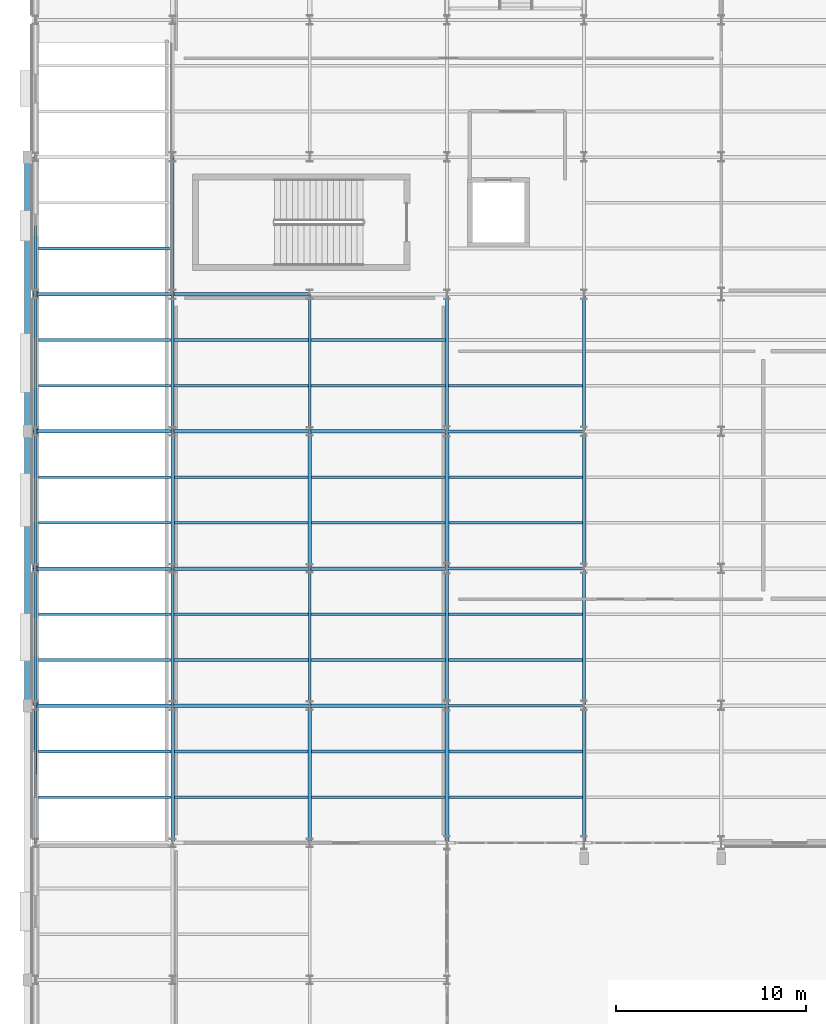
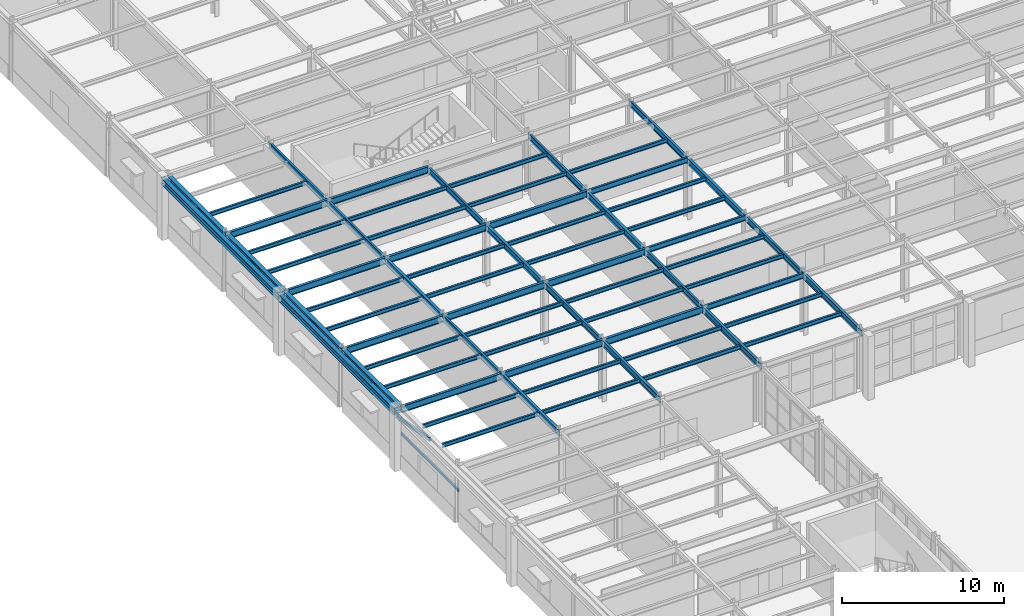
# One storey, part 35 of 83: 70 beams, 8 members.
"""IFC4 building model written with IfcOpenShell, lengths in metres."""

import ifcopenshell
import ifcopenshell.guid

model = None  # the IFC model being written
_history = None  # IfcOwnerHistory: only IFC2X3 demands one
_inside = {}  # id of a spatial element -> (the spatial element, [elements in it])
_under = {}  # id of a project, library or spatial element -> (it, [spatial elements below it])
_declared = {}  # id of a project -> (the project, [libraries it declares])
_typed = {}  # id of a type object -> (the type object, [elements of that type])
_made_of = {}  # id of a material, layer set ... -> (it, [elements and type objects made of it])


def new_model(schema):
    """Start an empty IFC model of exactly this schema.

    Asked for "IFC4X3", IfcOpenShell would pick the latest addendum, in which some entities
    have other attributes; the version numbers below select the first issue.
    IFC2X3 requires an IfcOwnerHistory on every rooted entity: one is made here for all.
    """
    global model, _history
    if schema == "IFC4X3":
        model = ifcopenshell.file(schema_version=(4, 3, 0, 0))
    else:
        model = ifcopenshell.file(schema=schema)
    _inside.clear()
    _under.clear()
    _declared.clear()
    _typed.clear()
    _made_of.clear()
    _history = None
    if model.schema == "IFC2X3":
        org = make("IfcOrganization", Name="unknown")
        user = make(
            "IfcPersonAndOrganization",
            ThePerson=make("IfcPerson", FamilyName="unknown"),
            TheOrganization=org,
        )
        app = make(
            "IfcApplication",
            ApplicationDeveloper=org,
            Version="unknown",
            ApplicationFullName="unknown",
            ApplicationIdentifier="unknown",
        )
        _history = make(
            "IfcOwnerHistory",
            OwningUser=user,
            OwningApplication=app,
            ChangeAction="ADDED",
            CreationDate=0,
        )
    return model


def make(cls, **values):
    """One entity of the class cls with the attributes given. An attribute that is None is left unset."""
    return model.create_entity(
        cls, **{name: value for name, value in values.items() if value is not None}
    )


def rooted(cls, **values):
    """An entity with a GlobalId (a new one), such as an element, a storey or a relation."""
    return make(cls, GlobalId=ifcopenshell.guid.new(), OwnerHistory=_history, **values)


def si_unit(unit_type, name, prefix=None):
    """IfcSIUnit, for example si_unit("LENGTHUNIT", "METRE", prefix="MILLI")."""
    return make("IfcSIUnit", UnitType=unit_type, Prefix=prefix, Name=name)


def assignment(units):
    """IfcUnitAssignment: the units of a project."""
    return None if units is None else make("IfcUnitAssignment", Units=units)


def point(xyz):
    """IfcCartesianPoint."""
    return None if xyz is None else make("IfcCartesianPoint", Coordinates=xyz)


def direction(xyz):
    """IfcDirection."""
    return None if xyz is None else make("IfcDirection", DirectionRatios=xyz)


def frame(location, z_axis=None, x_axis=None):
    """IfcAxis2Placement3D, a coordinate frame: its origin and axes. An axis left out is left unset."""
    return make(
        "IfcAxis2Placement3D",
        Location=point(location),
        Axis=direction(z_axis),
        RefDirection=direction(x_axis),
    )


def frame_2d(location, x_axis=None):
    """IfcAxis2Placement2D, a coordinate frame in the plane: its origin and x axis."""
    return make(
        "IfcAxis2Placement2D", Location=point(location), RefDirection=direction(x_axis)
    )


def origin():
    """The frame at (0, 0, 0) with its axes left unset."""
    return frame((0.0, 0.0, 0.0))


def origin_2d():
    """The frame at (0, 0) in the plane with its x axis left unset."""
    return frame_2d((0.0, 0.0))


def place(relative_to, where):
    """IfcLocalPlacement: puts the frame where relative to a parent placement (None: the world)."""
    return make(
        "IfcLocalPlacement", PlacementRelTo=relative_to, RelativePlacement=where
    )


def context(
    kind, dimensions, precision=None, world=None, true_north=None, identifier=None
):
    """IfcGeometricRepresentationContext, for example the 3D "Model" context."""
    return make(
        "IfcGeometricRepresentationContext",
        ContextIdentifier=identifier,
        ContextType=kind,
        CoordinateSpaceDimension=dimensions,
        Precision=precision,
        WorldCoordinateSystem=world,
        TrueNorth=true_north,
    )


def subcontext(parent, identifier, kind, view, scale=None):
    """IfcGeometricRepresentationSubContext, for example "Body" below "Model"."""
    return make(
        "IfcGeometricRepresentationSubContext",
        ContextIdentifier=identifier,
        ContextType=kind,
        ParentContext=parent,
        TargetScale=scale,
        TargetView=view,
    )


def project(units=None, contexts=None):
    """IfcProject with its units and contexts."""
    return rooted(
        "IfcProject",
        Name="project",
        RepresentationContexts=contexts,
        UnitsInContext=assignment(units),
    )


def spatial(cls, under=None, at=None, **own):
    """A site, building, storey or space (cls), placed at a placement, below another one or the project."""
    s = rooted(cls, ObjectPlacement=at, **own)
    if under is not None:
        _under.setdefault(under.id(), (under, []))[1].append(s)
    return s


def profile(cls, at=None, kind="AREA", **sizes):
    """A parametric profile (cls). Its sizes go by their IFC names, for example OverallWidth=200.0."""
    return make(cls, ProfileType=kind, Position=at, **sizes)


def hollow_rectangle(**sizes):
    """IfcRectangleHollowProfileDef."""
    return profile("IfcRectangleHollowProfileDef", **sizes)


def i_section(**sizes):
    """IfcIShapeProfileDef."""
    return profile("IfcIShapeProfileDef", **sizes)


def extrude(swept, where, along, depth):
    """IfcExtrudedAreaSolid: the profile swept, set in the frame where, extruded along a direction by depth."""
    return make(
        "IfcExtrudedAreaSolid",
        SweptArea=swept,
        Position=where,
        ExtrudedDirection=direction(along),
        Depth=depth,
    )


def shape(context_of_items, identifier, shape_type, items):
    """IfcShapeRepresentation: the items that make up one representation, for example the "Body"."""
    return make(
        "IfcShapeRepresentation",
        ContextOfItems=context_of_items,
        RepresentationIdentifier=identifier,
        RepresentationType=shape_type,
        Items=items,
    )


def material(Name=None, Category=None):
    """IfcMaterial."""
    return make("IfcMaterial", Name=Name, Category=Category)


def material_profile(
    of_material, cross_section, Name=None, Category=None, Priority=None
):
    """IfcMaterialProfile: a cross section and its material."""
    return make(
        "IfcMaterialProfile",
        Name=Name,
        Material=of_material,
        Profile=cross_section,
        Priority=Priority,
        Category=Category,
    )


def profile_set(profiles, Name=None, composite=None):
    """IfcMaterialProfileSet."""
    return make(
        "IfcMaterialProfileSet",
        Name=Name,
        MaterialProfiles=profiles,
        CompositeProfile=composite,
    )


def made_of(thing, what):
    """Note that an element or type object is made of a material, layer set ...; save() writes the relation."""
    if what is not None:
        _made_of.setdefault(what.id(), (what, []))[1].append(thing)
    return thing


def type_object(cls, material=None, **own):
    """A type object (cls), such as IfcWallType, which elements share."""
    return made_of(rooted(cls, **own), material)


def element(
    cls,
    number,
    at=None,
    inside=None,
    cuts=None,
    type_object=None,
    material=None,
    context=None,
    identifier="Body",
    shape_type=None,
    held_by="IfcProductDefinitionShape",
    body=None,
    shapes=None,
    **own,
):
    """One element of the class cls, such as IfcWall. Its Tag is "e" and its number.

    at: its placement. inside: the storey or other place that contains it. cuts: it is an
    opening in that element (IfcRelVoidsElement). A single representation is given by context,
    identifier, shape_type and body (its items); several are given by shapes. held_by: the class
    of the entity that holds the representations. save() writes the other relations.
    """
    e = rooted(cls, Tag="e%d" % number, ObjectPlacement=at, **own)
    if body is not None:
        shapes = [shape(context, identifier, shape_type, body)]
    if shapes is not None:
        e.Representation = make(held_by, Representations=shapes)
    if inside is not None:
        _inside.setdefault(inside.id(), (inside, []))[1].append(e)
    if cuts is not None:
        rooted(
            "IfcRelVoidsElement", RelatingBuildingElement=cuts, RelatedOpeningElement=e
        )
    if type_object is not None:
        _typed.setdefault(type_object.id(), (type_object, []))[1].append(e)
    return made_of(e, material)


def aggregate(whole, parts):
    """IfcRelAggregates: a whole, such as a stair, and the parts it consists of."""
    return rooted("IfcRelAggregates", RelatingObject=whole, RelatedObjects=parts)


def save(model, path):
    """Write the relations noted so far, then the file.

    IfcRelAggregates (storeys below a building ...), IfcRelContainedInSpatialStructure (elements
    in a storey), IfcRelDefinesByType, IfcRelAssociatesMaterial and IfcRelDeclares: one each for
    every whole, place, type object, material and project.
    """
    for whole, parts in _under.values():
        aggregate(whole, parts)
    for where, things in _inside.values():
        rooted(
            "IfcRelContainedInSpatialStructure",
            RelatedElements=things,
            RelatingStructure=where,
        )
    for kind, things in _typed.values():
        rooted("IfcRelDefinesByType", RelatedObjects=things, RelatingType=kind)
    for what, things in _made_of.values():
        rooted("IfcRelAssociatesMaterial", RelatedObjects=things, RelatingMaterial=what)
    for by, libraries in _declared.values():
        rooted("IfcRelDeclares", RelatingContext=by, RelatedDefinitions=libraries)
    model.write(path)


model = new_model("IFC4")

# Units and contexts
model_context = context("Model", 3, precision=1e-05, world=origin(), true_north=direction((0.0, 1.0)))
body_context = subcontext(model_context, "Body", "Model", "MODEL_VIEW")
ifc_project = project(units=[si_unit("LENGTHUNIT", "METRE"), si_unit("AREAUNIT", "SQUARE_METRE"), si_unit("VOLUMEUNIT", "CUBIC_METRE"), si_unit("PLANEANGLEUNIT", "RADIAN"), si_unit("MASSUNIT", "GRAM", prefix="KILO")], contexts=[model_context])

# Site, building, storey
site_placement = place(None, origin())
site = spatial("IfcSite", under=ifc_project, at=site_placement, CompositionType="ELEMENT")
building_placement = place(site_placement, origin())
building = spatial("IfcBuilding", under=site, at=building_placement, Name="Solvadek Multi-Sports Hall", CompositionType="ELEMENT")
storey_placement = place(building_placement, origin())
storey = spatial("IfcBuildingStorey", under=building, at=storey_placement, Name="L00", CompositionType="ELEMENT", Elevation=0.0)

# Members
ifc_material_1 = material(Name="Steel E350 (350 MPa)", Category="steel")
ifc_material_profile_1 = material_profile(ifc_material_1, hollow_rectangle(XDim=0.14990234375, YDim=0.25, WallThickness=0.010009765625, at=origin_2d()), Name="RHS 250x150x10")
ifc_profile_set_1 = profile_set([ifc_material_profile_1], Name="Steel E350 (350 MPa)")
member_type = type_object("IfcMemberType", Name="STR-ARC-RHS250", PredefinedType="USERDEFINED", material=ifc_profile_set_1)
member_1_placement = place(storey_placement, frame((0.0, 52.800048828125, 4.219970703125), z_axis=(0.0, 0.9831211258, -0.182955874479), x_axis=(-1.0, 0.0, 0.0)))
element("IfcMember", 1, at=member_1_placement, inside=storey, type_object=member_type, Name="L00 West Facade Pointed Ottoman Arch 5R", ObjectType="ARCH_SEGMENT", PredefinedType="USERDEFINED", context=body_context, shape_type="SweptSolid", body=[
    extrude(hollow_rectangle(XDim=0.14990234375, YDim=0.25, WallThickness=0.010009765625, at=origin_2d()), origin(), (0.0, 0.0, 1.0), 3.66162109375),
])
for number, where, z_axis, x_axis, name in (
    (2, (0.0, 56.39990234375, 3.550048828125), (0.0, 0.983123357379, 0.182943882588), (-1.0, 0.0, 0.0), "L00 West Facade Pointed Ottoman Arch 6L"),
    (3, (0.0, 60.0, 4.219970703125), (0.0, 0.983123357379, -0.182943882588), (-1.0, 0.0, 0.0), "L00 West Facade Pointed Ottoman Arch 6R"),
):
    element("IfcMember", number, at=place(storey_placement, frame(where, z_axis=z_axis, x_axis=x_axis)), inside=storey, type_object=member_type, Name=name, ObjectType="ARCH_SEGMENT", PredefinedType="USERDEFINED", context=body_context, shape_type="SweptSolid", body=[
        extrude(hollow_rectangle(XDim=0.14990234375, YDim=0.25, WallThickness=0.010009765625, at=origin_2d()), origin(), (0.0, 0.0, 1.0), 3.661865234375),
    ])
member_2_placement = place(storey_placement, frame((0.0, 63.60009765625, 3.550048828125), z_axis=(0.0, 0.9831211258, 0.182955874479), x_axis=(-1.0, 0.0, 0.0)))
element("IfcMember", 4, at=member_2_placement, inside=storey, type_object=member_type, Name="L00 West Facade Pointed Ottoman Arch 7L", ObjectType="ARCH_SEGMENT", PredefinedType="USERDEFINED", context=body_context, shape_type="SweptSolid", body=[
    extrude(hollow_rectangle(XDim=0.14990234375, YDim=0.25, WallThickness=0.010009765625, at=origin_2d()), origin(), (0.0, 0.0, 1.0), 3.66162109375),
])
member_3_placement = place(storey_placement, frame((0.0, 67.199951171875, 4.219970703125), z_axis=(0.0, 0.983123357379, -0.182943882588), x_axis=(-1.0, 0.0, 0.0)))
element("IfcMember", 5, at=member_3_placement, inside=storey, type_object=member_type, Name="L00 West Facade Pointed Ottoman Arch 7R", ObjectType="ARCH_SEGMENT", PredefinedType="USERDEFINED", context=body_context, shape_type="SweptSolid", body=[
    extrude(hollow_rectangle(XDim=0.14990234375, YDim=0.25, WallThickness=0.010009765625, at=origin_2d()), origin(), (0.0, 0.0, 1.0), 3.661865234375),
])
member_4_placement = place(storey_placement, frame((0.0, 70.800048828125, 3.550048828125), z_axis=(0.0, 0.9831211258, 0.182955874479), x_axis=(-1.0, 0.0, 0.0)))
element("IfcMember", 6, at=member_4_placement, inside=storey, type_object=member_type, Name="L00 West Facade Pointed Ottoman Arch 8L", ObjectType="ARCH_SEGMENT", PredefinedType="USERDEFINED", context=body_context, shape_type="SweptSolid", body=[
    extrude(hollow_rectangle(XDim=0.14990234375, YDim=0.25, WallThickness=0.010009765625, at=origin_2d()), origin(), (0.0, 0.0, 1.0), 3.66162109375),
])
for number, where, z_axis, x_axis, name in (
    (7, (0.0, 74.39990234375, 4.219970703125), (0.0, 0.983123357379, -0.182943882588), (-1.0, 0.0, 0.0), "L00 West Facade Pointed Ottoman Arch 8R"),
    (8, (0.0, 78.0, 3.550048828125), (0.0, 0.983123357379, 0.182943882588), (-1.0, 0.0, 0.0), "L00 West Facade Pointed Ottoman Arch 9L"),
):
    element("IfcMember", number, at=place(storey_placement, frame(where, z_axis=z_axis, x_axis=x_axis)), inside=storey, type_object=member_type, Name=name, ObjectType="ARCH_SEGMENT", PredefinedType="USERDEFINED", context=body_context, shape_type="SweptSolid", body=[
        extrude(hollow_rectangle(XDim=0.14990234375, YDim=0.25, WallThickness=0.010009765625, at=origin_2d()), origin(), (0.0, 0.0, 1.0), 3.661865234375),
    ])

# Beams
ifc_material_profile_2 = material_profile(ifc_material_1, i_section(OverallWidth=0.139892578125, OverallDepth=0.39990234375, WebThickness=0.0087890625, FlangeThickness=0.01611328125, at=origin_2d()), Name="ISMB 400")
ifc_profile_set_2 = profile_set([ifc_material_profile_2], Name="Steel E350 (350 MPa)")
beam_type_1 = type_object("IfcBeamType", Name="STR-BM-ISMB400", PredefinedType="BEAM", material=ifc_profile_set_2)
for number, where, z_axis, x_axis, name in (
    (9, (21.60009765625, 56.39990234375, 4.3798828125), (1.0, 0.0, 0.0), (0.0, 1.0, 0.0), "L00 Girder B-10 #626"),
    (10, (21.60009765625, 63.60009765625, 4.3798828125), (1.0, 0.0, 0.0), (0.0, 1.0, 0.0), "L00 Girder B-10 #640"),
    (11, (21.60009765625, 70.800048828125, 4.3798828125), (1.0, 0.0, 0.0), (0.0, 1.0, 0.0), "L00 Girder B-10 #655"),
):
    element("IfcBeam", number, at=place(storey_placement, frame(where, z_axis=z_axis, x_axis=x_axis)), inside=storey, type_object=beam_type_1, Name=name, PredefinedType="BEAM", context=body_context, shape_type="SweptSolid", body=[
        extrude(i_section(OverallWidth=0.139892578125, OverallDepth=0.39990234375, WebThickness=0.0087890625, FlangeThickness=0.01611328125, at=origin_2d()), origin(), (0.0, 0.0, 1.0), 7.199951171875),
    ])
ifc_material_profile_3 = material_profile(ifc_material_1, i_section(OverallWidth=0.14990234375, OverallDepth=0.449951171875, WebThickness=0.009521484375, FlangeThickness=0.017333984375, at=origin_2d()), Name="ISMB 450")
ifc_profile_set_3 = profile_set([ifc_material_profile_3], Name="Steel E350 (350 MPa)")
beam_type_2 = type_object("IfcBeamType", Name="STR-BM-ISMB450", PredefinedType="BEAM", material=ifc_profile_set_3)
beam_1_placement = place(storey_placement, frame((7.199951171875, 56.39990234375, 4.35498046875), z_axis=(0.0, 1.0, 0.0), x_axis=(-1.0, 0.0, 0.0)))
element("IfcBeam", 12, at=beam_1_placement, inside=storey, type_object=beam_type_2, Name="L00 Girder B-09 #745", PredefinedType="BEAM", context=body_context, shape_type="SweptSolid", body=[
    extrude(i_section(OverallWidth=0.14990234375, OverallDepth=0.449951171875, WebThickness=0.009521484375, FlangeThickness=0.017333984375, at=origin_2d()), origin(), (0.0, 0.0, 1.0), 7.2001953125),
])
for number, where, z_axis, x_axis, name in (
    (13, (7.199951171875, 70.800048828125, 4.35498046875), (0.0, 1.0, 0.0), (-1.0, 0.0, 0.0), "L00 Girder B-09 #747"),
    (14, (7.199951171875, 78.0, 4.35498046875), (0.0, 1.0, 0.0), (-1.0, 0.0, 0.0), "L00 Girder B-09 #748"),
):
    element("IfcBeam", number, at=place(storey_placement, frame(where, z_axis=z_axis, x_axis=x_axis)), inside=storey, type_object=beam_type_2, Name=name, PredefinedType="BEAM", context=body_context, shape_type="SweptSolid", body=[
        extrude(i_section(OverallWidth=0.14990234375, OverallDepth=0.449951171875, WebThickness=0.009521484375, FlangeThickness=0.017333984375, at=origin_2d()), origin(), (0.0, 0.0, 1.0), 7.199951171875),
    ])
beam_2_placement = place(storey_placement, frame((14.39990234375, 56.39990234375, 4.35498046875), z_axis=(0.0, 1.0, 0.0), x_axis=(-1.0, 0.0, 0.0)))
element("IfcBeam", 15, at=beam_2_placement, inside=storey, type_object=beam_type_2, Name="L00 Girder B-09 #757", PredefinedType="BEAM", context=body_context, shape_type="SweptSolid", body=[
    extrude(i_section(OverallWidth=0.14990234375, OverallDepth=0.449951171875, WebThickness=0.009521484375, FlangeThickness=0.017333984375, at=origin_2d()), origin(), (0.0, 0.0, 1.0), 7.2001953125),
])
beam_3_placement = place(storey_placement, frame((14.39990234375, 70.800048828125, 4.35498046875), z_axis=(0.0, 1.0, 0.0), x_axis=(-1.0, 0.0, 0.0)))
element("IfcBeam", 16, at=beam_3_placement, inside=storey, type_object=beam_type_2, Name="L00 Girder B-09 #759", PredefinedType="BEAM", context=body_context, shape_type="SweptSolid", body=[
    extrude(i_section(OverallWidth=0.14990234375, OverallDepth=0.449951171875, WebThickness=0.009521484375, FlangeThickness=0.017333984375, at=origin_2d()), origin(), (0.0, 0.0, 1.0), 7.199951171875),
])
beam_4_placement = place(storey_placement, frame((21.60009765625, 56.39990234375, 4.35498046875), z_axis=(0.0, 1.0, 0.0), x_axis=(-1.0, 0.0, 0.0)))
element("IfcBeam", 17, at=beam_4_placement, inside=storey, type_object=beam_type_2, Name="L00 Girder B-09 #768", PredefinedType="BEAM", context=body_context, shape_type="SweptSolid", body=[
    extrude(i_section(OverallWidth=0.14990234375, OverallDepth=0.449951171875, WebThickness=0.009521484375, FlangeThickness=0.017333984375, at=origin_2d()), origin(), (0.0, 0.0, 1.0), 7.2001953125),
])
beam_5_placement = place(storey_placement, frame((21.60009765625, 70.800048828125, 4.35498046875), z_axis=(0.0, 1.0, 0.0), x_axis=(-1.0, 0.0, 0.0)))
element("IfcBeam", 18, at=beam_5_placement, inside=storey, type_object=beam_type_2, Name="L00 Girder B-09 #770", PredefinedType="BEAM", context=body_context, shape_type="SweptSolid", body=[
    extrude(i_section(OverallWidth=0.14990234375, OverallDepth=0.449951171875, WebThickness=0.009521484375, FlangeThickness=0.017333984375, at=origin_2d()), origin(), (0.0, 0.0, 1.0), 7.199951171875),
])
beam_6_placement = place(storey_placement, frame((28.800048828125, 56.39990234375, 4.35498046875), z_axis=(0.0, 1.0, 0.0), x_axis=(-1.0, 0.0, 0.0)))
element("IfcBeam", 19, at=beam_6_placement, inside=storey, type_object=beam_type_2, Name="L00 Girder B-09 #776", PredefinedType="BEAM", context=body_context, shape_type="SweptSolid", body=[
    extrude(i_section(OverallWidth=0.14990234375, OverallDepth=0.449951171875, WebThickness=0.009521484375, FlangeThickness=0.017333984375, at=origin_2d()), origin(), (0.0, 0.0, 1.0), 7.2001953125),
])
beam_7_placement = place(storey_placement, frame((28.800048828125, 70.800048828125, 4.35498046875), z_axis=(0.0, 1.0, 0.0), x_axis=(-1.0, 0.0, 0.0)))
element("IfcBeam", 20, at=beam_7_placement, inside=storey, type_object=beam_type_2, Name="L00 Girder B-09 #778", PredefinedType="BEAM", context=body_context, shape_type="SweptSolid", body=[
    extrude(i_section(OverallWidth=0.14990234375, OverallDepth=0.449951171875, WebThickness=0.009521484375, FlangeThickness=0.017333984375, at=origin_2d()), origin(), (0.0, 0.0, 1.0), 7.199951171875),
])
ifc_material_profile_4 = material_profile(ifc_material_1, i_section(OverallWidth=0.179931640625, OverallDepth=0.5, WebThickness=0.01025390625, FlangeThickness=0.01708984375, at=origin_2d()), Name="ISMB 500")
ifc_profile_set_4 = profile_set([ifc_material_profile_4], Name="Steel E350 (350 MPa)")
beam_type_3 = type_object("IfcBeamType", Name="STR-BM-ISMB500", PredefinedType="BEAM", material=ifc_profile_set_4)
for number, where, z_axis, x_axis, name in (
    (21, (0.0, 56.39990234375, 4.330078125), (1.0, 0.0, 0.0), (0.0, 1.0, 0.0), "L00 Girder B-07 #623"),
    (22, (7.199951171875, 56.39990234375, 4.330078125), (1.0, 0.0, 0.0), (0.0, 1.0, 0.0), "L00 Girder B-07 #624"),
):
    element("IfcBeam", number, at=place(storey_placement, frame(where, z_axis=z_axis, x_axis=x_axis)), inside=storey, type_object=beam_type_3, Name=name, PredefinedType="BEAM", context=body_context, shape_type="SweptSolid", body=[
        extrude(i_section(OverallWidth=0.179931640625, OverallDepth=0.5, WebThickness=0.01025390625, FlangeThickness=0.01708984375, at=origin_2d()), origin(), (0.0, 0.0, 1.0), 7.199951171875),
    ])
beam_8_placement = place(storey_placement, frame((14.39990234375, 56.39990234375, 4.330078125), z_axis=(1.0, 0.0, 0.0), x_axis=(0.0, 1.0, 0.0)))
element("IfcBeam", 23, at=beam_8_placement, inside=storey, type_object=beam_type_3, Name="L00 Girder B-07 #625", PredefinedType="BEAM", context=body_context, shape_type="SweptSolid", body=[
    extrude(i_section(OverallWidth=0.179931640625, OverallDepth=0.5, WebThickness=0.01025390625, FlangeThickness=0.01708984375, at=origin_2d()), origin(), (0.0, 0.0, 1.0), 7.2001953125),
])
for number, where, z_axis, x_axis, name in (
    (24, (0.0, 63.60009765625, 4.330078125), (1.0, 0.0, 0.0), (0.0, 1.0, 0.0), "L00 Girder B-07 #637"),
    (25, (7.199951171875, 63.60009765625, 4.330078125), (1.0, 0.0, 0.0), (0.0, 1.0, 0.0), "L00 Girder B-07 #638"),
):
    element("IfcBeam", number, at=place(storey_placement, frame(where, z_axis=z_axis, x_axis=x_axis)), inside=storey, type_object=beam_type_3, Name=name, PredefinedType="BEAM", context=body_context, shape_type="SweptSolid", body=[
        extrude(i_section(OverallWidth=0.179931640625, OverallDepth=0.5, WebThickness=0.01025390625, FlangeThickness=0.01708984375, at=origin_2d()), origin(), (0.0, 0.0, 1.0), 7.199951171875),
    ])
beam_9_placement = place(storey_placement, frame((14.39990234375, 63.60009765625, 4.330078125), z_axis=(1.0, 0.0, 0.0), x_axis=(0.0, 1.0, 0.0)))
element("IfcBeam", 26, at=beam_9_placement, inside=storey, type_object=beam_type_3, Name="L00 Girder B-07 #639", PredefinedType="BEAM", context=body_context, shape_type="SweptSolid", body=[
    extrude(i_section(OverallWidth=0.179931640625, OverallDepth=0.5, WebThickness=0.01025390625, FlangeThickness=0.01708984375, at=origin_2d()), origin(), (0.0, 0.0, 1.0), 7.2001953125),
])
for number, where, z_axis, x_axis, name in (
    (27, (0.0, 70.800048828125, 4.330078125), (1.0, 0.0, 0.0), (0.0, 1.0, 0.0), "L00 Girder B-07 #652"),
    (28, (7.199951171875, 70.800048828125, 4.330078125), (1.0, 0.0, 0.0), (0.0, 1.0, 0.0), "L00 Girder B-07 #653"),
):
    element("IfcBeam", number, at=place(storey_placement, frame(where, z_axis=z_axis, x_axis=x_axis)), inside=storey, type_object=beam_type_3, Name=name, PredefinedType="BEAM", context=body_context, shape_type="SweptSolid", body=[
        extrude(i_section(OverallWidth=0.179931640625, OverallDepth=0.5, WebThickness=0.01025390625, FlangeThickness=0.01708984375, at=origin_2d()), origin(), (0.0, 0.0, 1.0), 7.199951171875),
    ])
beam_10_placement = place(storey_placement, frame((14.39990234375, 70.800048828125, 4.330078125), z_axis=(1.0, 0.0, 0.0), x_axis=(0.0, 1.0, 0.0)))
element("IfcBeam", 29, at=beam_10_placement, inside=storey, type_object=beam_type_3, Name="L00 Girder B-07 #654", PredefinedType="BEAM", context=body_context, shape_type="SweptSolid", body=[
    extrude(i_section(OverallWidth=0.179931640625, OverallDepth=0.5, WebThickness=0.01025390625, FlangeThickness=0.01708984375, at=origin_2d()), origin(), (0.0, 0.0, 1.0), 7.2001953125),
])
for number, where, z_axis, x_axis, name in (
    (30, (0.0, 78.0, 4.330078125), (1.0, 0.0, 0.0), (0.0, 1.0, 0.0), "L00 Girder B-07 #667"),
    (31, (7.199951171875, 78.0, 4.330078125), (1.0, 0.0, 0.0), (0.0, 1.0, 0.0), "L00 Girder B-07 #668"),
):
    element("IfcBeam", number, at=place(storey_placement, frame(where, z_axis=z_axis, x_axis=x_axis)), inside=storey, type_object=beam_type_3, Name=name, PredefinedType="BEAM", context=body_context, shape_type="SweptSolid", body=[
        extrude(i_section(OverallWidth=0.179931640625, OverallDepth=0.5, WebThickness=0.01025390625, FlangeThickness=0.01708984375, at=origin_2d()), origin(), (0.0, 0.0, 1.0), 7.199951171875),
    ])
ifc_material_profile_5 = material_profile(ifc_material_1, i_section(OverallWidth=0.18994140625, OverallDepth=0.449951171875, WebThickness=0.009521484375, FlangeThickness=0.0146484375, at=origin_2d()), Name="NPB 450")
ifc_profile_set_5 = profile_set([ifc_material_profile_5], Name="Steel E350 (350 MPa)")
beam_type_4 = type_object("IfcBeamType", Name="STR-BM-NPB450", PredefinedType="BEAM", material=ifc_profile_set_5)
for number, where, z_axis, x_axis, name in (
    (32, (7.199951171875, 49.199951171875, 4.35498046875), (0.0, 1.0, 0.0), (-1.0, 0.0, 0.0), "L00 Girder B-08 #744"),
    (33, (7.199951171875, 63.60009765625, 4.35498046875), (0.0, 1.0, 0.0), (-1.0, 0.0, 0.0), "L00 Girder B-08 #746"),
    (34, (14.39990234375, 49.199951171875, 4.35498046875), (0.0, 1.0, 0.0), (-1.0, 0.0, 0.0), "L00 Girder B-08 #756"),
    (35, (14.39990234375, 63.60009765625, 4.35498046875), (0.0, 1.0, 0.0), (-1.0, 0.0, 0.0), "L00 Girder B-08 #758"),
    (36, (21.60009765625, 49.199951171875, 4.35498046875), (0.0, 1.0, 0.0), (-1.0, 0.0, 0.0), "L00 Girder B-08 #767"),
    (37, (21.60009765625, 63.60009765625, 4.35498046875), (0.0, 1.0, 0.0), (-1.0, 0.0, 0.0), "L00 Girder B-08 #769"),
    (38, (28.800048828125, 49.199951171875, 4.35498046875), (0.0, 1.0, 0.0), (-1.0, 0.0, 0.0), "L00 Girder B-08 #775"),
    (39, (28.800048828125, 63.60009765625, 4.35498046875), (0.0, 1.0, 0.0), (-1.0, 0.0, 0.0), "L00 Girder B-08 #777"),
):
    element("IfcBeam", number, at=place(storey_placement, frame(where, z_axis=z_axis, x_axis=x_axis)), inside=storey, type_object=beam_type_4, Name=name, PredefinedType="BEAM", context=body_context, shape_type="SweptSolid", body=[
        extrude(i_section(OverallWidth=0.18994140625, OverallDepth=0.449951171875, WebThickness=0.009521484375, FlangeThickness=0.0146484375, at=origin_2d()), origin(), (0.0, 0.0, 1.0), 7.199951171875),
    ])
ifc_material_profile_6 = material_profile(ifc_material_1, i_section(OverallWidth=0.139892578125, OverallDepth=0.300048828125, WebThickness=0.0078125, FlangeThickness=0.01318359375, at=origin_2d()), Name="ISMB 300")
ifc_profile_set_6 = profile_set([ifc_material_profile_6], Name="Steel E350 (350 MPa)")
beam_type_5 = type_object("IfcBeamType", Name="STR-JST-ISMB300", PredefinedType="JOIST", material=ifc_profile_set_6)
for number, where, z_axis, x_axis, name in (
    (40, (0.14990234375, 51.60009765625, 4.429931640625), (1.0, 0.0, 0.0), (0.0, 1.0, 0.0), "L00 Composite Joist J-03 #444"),
    (41, (0.14990234375, 54.0, 4.429931640625), (1.0, 0.0, 0.0), (0.0, 1.0, 0.0), "L00 Composite Joist J-03 #445"),
):
    element("IfcBeam", number, at=place(storey_placement, frame(where, z_axis=z_axis, x_axis=x_axis)), inside=storey, type_object=beam_type_5, Name=name, PredefinedType="JOIST", context=body_context, shape_type="SweptSolid", body=[
        extrude(i_section(OverallWidth=0.139892578125, OverallDepth=0.300048828125, WebThickness=0.0078125, FlangeThickness=0.01318359375, at=origin_2d()), origin(), (0.0, 0.0, 1.0), 6.955078125),
    ])
for number, where, z_axis, x_axis, name in (
    (42, (7.294921875, 51.60009765625, 4.429931640625), (1.0, 0.0, 0.0), (0.0, 1.0, 0.0), "L00 Composite Joist J-03 #446"),
    (43, (7.294921875, 54.0, 4.429931640625), (1.0, 0.0, 0.0), (0.0, 1.0, 0.0), "L00 Composite Joist J-03 #447"),
):
    element("IfcBeam", number, at=place(storey_placement, frame(where, z_axis=z_axis, x_axis=x_axis)), inside=storey, type_object=beam_type_5, Name=name, PredefinedType="JOIST", context=body_context, shape_type="SweptSolid", body=[
        extrude(i_section(OverallWidth=0.139892578125, OverallDepth=0.300048828125, WebThickness=0.0078125, FlangeThickness=0.01318359375, at=origin_2d()), origin(), (0.0, 0.0, 1.0), 7.010009765625),
    ])
for number, where, z_axis, x_axis, name in (
    (44, (14.4951171875, 51.60009765625, 4.429931640625), (1.0, 0.0, 0.0), (0.0, 1.0, 0.0), "L00 Composite Joist J-03 #448"),
    (45, (14.4951171875, 54.0, 4.429931640625), (1.0, 0.0, 0.0), (0.0, 1.0, 0.0), "L00 Composite Joist J-03 #449"),
):
    element("IfcBeam", number, at=place(storey_placement, frame(where, z_axis=z_axis, x_axis=x_axis)), inside=storey, type_object=beam_type_5, Name=name, PredefinedType="JOIST", context=body_context, shape_type="SweptSolid", body=[
        extrude(i_section(OverallWidth=0.139892578125, OverallDepth=0.300048828125, WebThickness=0.0078125, FlangeThickness=0.01318359375, at=origin_2d()), origin(), (0.0, 0.0, 1.0), 7.009765625),
    ])
for number, where, z_axis, x_axis, name in (
    (46, (21.695068359375, 51.60009765625, 4.429931640625), (1.0, 0.0, 0.0), (0.0, 1.0, 0.0), "L00 Composite Joist J-03 #450"),
    (47, (21.695068359375, 54.0, 4.429931640625), (1.0, 0.0, 0.0), (0.0, 1.0, 0.0), "L00 Composite Joist J-03 #451"),
):
    element("IfcBeam", number, at=place(storey_placement, frame(where, z_axis=z_axis, x_axis=x_axis)), inside=storey, type_object=beam_type_5, Name=name, PredefinedType="JOIST", context=body_context, shape_type="SweptSolid", body=[
        extrude(i_section(OverallWidth=0.139892578125, OverallDepth=0.300048828125, WebThickness=0.0078125, FlangeThickness=0.01318359375, at=origin_2d()), origin(), (0.0, 0.0, 1.0), 7.010009765625),
    ])
for number, where, z_axis, x_axis, name in (
    (48, (0.14990234375, 58.800048828125, 4.429931640625), (1.0, 0.0, 0.0), (0.0, 1.0, 0.0), "L00 Composite Joist J-03 #468"),
    (49, (0.14990234375, 61.199951171875, 4.429931640625), (1.0, 0.0, 0.0), (0.0, 1.0, 0.0), "L00 Composite Joist J-03 #469"),
):
    element("IfcBeam", number, at=place(storey_placement, frame(where, z_axis=z_axis, x_axis=x_axis)), inside=storey, type_object=beam_type_5, Name=name, PredefinedType="JOIST", context=body_context, shape_type="SweptSolid", body=[
        extrude(i_section(OverallWidth=0.139892578125, OverallDepth=0.300048828125, WebThickness=0.0078125, FlangeThickness=0.01318359375, at=origin_2d()), origin(), (0.0, 0.0, 1.0), 6.97509765625),
    ])
for number, where, z_axis, x_axis, name in (
    (50, (7.27490234375, 58.800048828125, 4.429931640625), (1.0, 0.0, 0.0), (0.0, 1.0, 0.0), "L00 Composite Joist J-03 #470"),
    (51, (7.27490234375, 61.199951171875, 4.429931640625), (1.0, 0.0, 0.0), (0.0, 1.0, 0.0), "L00 Composite Joist J-03 #471"),
):
    element("IfcBeam", number, at=place(storey_placement, frame(where, z_axis=z_axis, x_axis=x_axis)), inside=storey, type_object=beam_type_5, Name=name, PredefinedType="JOIST", context=body_context, shape_type="SweptSolid", body=[
        extrude(i_section(OverallWidth=0.139892578125, OverallDepth=0.300048828125, WebThickness=0.0078125, FlangeThickness=0.01318359375, at=origin_2d()), origin(), (0.0, 0.0, 1.0), 7.050048828125),
    ])
for number, where, z_axis, x_axis, name in (
    (52, (14.47509765625, 58.800048828125, 4.429931640625), (1.0, 0.0, 0.0), (0.0, 1.0, 0.0), "L00 Composite Joist J-03 #472"),
    (53, (14.47509765625, 61.199951171875, 4.429931640625), (1.0, 0.0, 0.0), (0.0, 1.0, 0.0), "L00 Composite Joist J-03 #473"),
):
    element("IfcBeam", number, at=place(storey_placement, frame(where, z_axis=z_axis, x_axis=x_axis)), inside=storey, type_object=beam_type_5, Name=name, PredefinedType="JOIST", context=body_context, shape_type="SweptSolid", body=[
        extrude(i_section(OverallWidth=0.139892578125, OverallDepth=0.300048828125, WebThickness=0.0078125, FlangeThickness=0.01318359375, at=origin_2d()), origin(), (0.0, 0.0, 1.0), 7.0498046875),
    ])
for number, where, z_axis, x_axis, name in (
    (54, (21.675048828125, 58.800048828125, 4.429931640625), (1.0, 0.0, 0.0), (0.0, 1.0, 0.0), "L00 Composite Joist J-03 #474"),
    (55, (21.675048828125, 61.199951171875, 4.429931640625), (1.0, 0.0, 0.0), (0.0, 1.0, 0.0), "L00 Composite Joist J-03 #475"),
):
    element("IfcBeam", number, at=place(storey_placement, frame(where, z_axis=z_axis, x_axis=x_axis)), inside=storey, type_object=beam_type_5, Name=name, PredefinedType="JOIST", context=body_context, shape_type="SweptSolid", body=[
        extrude(i_section(OverallWidth=0.139892578125, OverallDepth=0.300048828125, WebThickness=0.0078125, FlangeThickness=0.01318359375, at=origin_2d()), origin(), (0.0, 0.0, 1.0), 7.050048828125),
    ])
for number, where, z_axis, x_axis, name in (
    (56, (0.14990234375, 66.0, 4.429931640625), (1.0, 0.0, 0.0), (0.0, 1.0, 0.0), "L00 Composite Joist J-03 #484"),
    (57, (0.14990234375, 68.39990234375, 4.429931640625), (1.0, 0.0, 0.0), (0.0, 1.0, 0.0), "L00 Composite Joist J-03 #485"),
):
    element("IfcBeam", number, at=place(storey_placement, frame(where, z_axis=z_axis, x_axis=x_axis)), inside=storey, type_object=beam_type_5, Name=name, PredefinedType="JOIST", context=body_context, shape_type="SweptSolid", body=[
        extrude(i_section(OverallWidth=0.139892578125, OverallDepth=0.300048828125, WebThickness=0.0078125, FlangeThickness=0.01318359375, at=origin_2d()), origin(), (0.0, 0.0, 1.0), 6.955078125),
    ])
for number, where, z_axis, x_axis, name in (
    (58, (7.294921875, 66.0, 4.429931640625), (1.0, 0.0, 0.0), (0.0, 1.0, 0.0), "L00 Composite Joist J-03 #486"),
    (59, (7.294921875, 68.39990234375, 4.429931640625), (1.0, 0.0, 0.0), (0.0, 1.0, 0.0), "L00 Composite Joist J-03 #487"),
):
    element("IfcBeam", number, at=place(storey_placement, frame(where, z_axis=z_axis, x_axis=x_axis)), inside=storey, type_object=beam_type_5, Name=name, PredefinedType="JOIST", context=body_context, shape_type="SweptSolid", body=[
        extrude(i_section(OverallWidth=0.139892578125, OverallDepth=0.300048828125, WebThickness=0.0078125, FlangeThickness=0.01318359375, at=origin_2d()), origin(), (0.0, 0.0, 1.0), 7.010009765625),
    ])
for number, where, z_axis, x_axis, name in (
    (60, (14.4951171875, 66.0, 4.429931640625), (1.0, 0.0, 0.0), (0.0, 1.0, 0.0), "L00 Composite Joist J-03 #488"),
    (61, (14.4951171875, 68.39990234375, 4.429931640625), (1.0, 0.0, 0.0), (0.0, 1.0, 0.0), "L00 Composite Joist J-03 #489"),
):
    element("IfcBeam", number, at=place(storey_placement, frame(where, z_axis=z_axis, x_axis=x_axis)), inside=storey, type_object=beam_type_5, Name=name, PredefinedType="JOIST", context=body_context, shape_type="SweptSolid", body=[
        extrude(i_section(OverallWidth=0.139892578125, OverallDepth=0.300048828125, WebThickness=0.0078125, FlangeThickness=0.01318359375, at=origin_2d()), origin(), (0.0, 0.0, 1.0), 7.009765625),
    ])
for number, where, z_axis, x_axis, name in (
    (62, (21.695068359375, 66.0, 4.429931640625), (1.0, 0.0, 0.0), (0.0, 1.0, 0.0), "L00 Composite Joist J-03 #490"),
    (63, (21.695068359375, 68.39990234375, 4.429931640625), (1.0, 0.0, 0.0), (0.0, 1.0, 0.0), "L00 Composite Joist J-03 #491"),
):
    element("IfcBeam", number, at=place(storey_placement, frame(where, z_axis=z_axis, x_axis=x_axis)), inside=storey, type_object=beam_type_5, Name=name, PredefinedType="JOIST", context=body_context, shape_type="SweptSolid", body=[
        extrude(i_section(OverallWidth=0.139892578125, OverallDepth=0.300048828125, WebThickness=0.0078125, FlangeThickness=0.01318359375, at=origin_2d()), origin(), (0.0, 0.0, 1.0), 7.010009765625),
    ])
for number, where, z_axis, x_axis, name in (
    (64, (0.14990234375, 73.199951171875, 4.429931640625), (1.0, 0.0, 0.0), (0.0, 1.0, 0.0), "L00 Composite Joist J-03 #510"),
    (65, (0.14990234375, 75.60009765625, 4.429931640625), (1.0, 0.0, 0.0), (0.0, 1.0, 0.0), "L00 Composite Joist J-03 #511"),
):
    element("IfcBeam", number, at=place(storey_placement, frame(where, z_axis=z_axis, x_axis=x_axis)), inside=storey, type_object=beam_type_5, Name=name, PredefinedType="JOIST", context=body_context, shape_type="SweptSolid", body=[
        extrude(i_section(OverallWidth=0.139892578125, OverallDepth=0.300048828125, WebThickness=0.0078125, FlangeThickness=0.01318359375, at=origin_2d()), origin(), (0.0, 0.0, 1.0), 6.97509765625),
    ])
for number, where, z_axis, x_axis, name in (
    (66, (7.27490234375, 73.199951171875, 4.429931640625), (1.0, 0.0, 0.0), (0.0, 1.0, 0.0), "L00 Composite Joist J-03 #512"),
    (67, (7.27490234375, 75.60009765625, 4.429931640625), (1.0, 0.0, 0.0), (0.0, 1.0, 0.0), "L00 Composite Joist J-03 #513"),
):
    element("IfcBeam", number, at=place(storey_placement, frame(where, z_axis=z_axis, x_axis=x_axis)), inside=storey, type_object=beam_type_5, Name=name, PredefinedType="JOIST", context=body_context, shape_type="SweptSolid", body=[
        extrude(i_section(OverallWidth=0.139892578125, OverallDepth=0.300048828125, WebThickness=0.0078125, FlangeThickness=0.01318359375, at=origin_2d()), origin(), (0.0, 0.0, 1.0), 7.050048828125),
    ])
for number, where, z_axis, x_axis, name in (
    (68, (14.47509765625, 73.199951171875, 4.429931640625), (1.0, 0.0, 0.0), (0.0, 1.0, 0.0), "L00 Composite Joist J-03 #514"),
    (69, (14.47509765625, 75.60009765625, 4.429931640625), (1.0, 0.0, 0.0), (0.0, 1.0, 0.0), "L00 Composite Joist J-03 #515"),
):
    element("IfcBeam", number, at=place(storey_placement, frame(where, z_axis=z_axis, x_axis=x_axis)), inside=storey, type_object=beam_type_5, Name=name, PredefinedType="JOIST", context=body_context, shape_type="SweptSolid", body=[
        extrude(i_section(OverallWidth=0.139892578125, OverallDepth=0.300048828125, WebThickness=0.0078125, FlangeThickness=0.01318359375, at=origin_2d()), origin(), (0.0, 0.0, 1.0), 7.0498046875),
    ])
beam_11_placement = place(storey_placement, frame((21.675048828125, 73.199951171875, 4.429931640625), z_axis=(1.0, 0.0, 0.0), x_axis=(0.0, 1.0, 0.0)))
element("IfcBeam", 70, at=beam_11_placement, inside=storey, type_object=beam_type_5, Name="L00 Composite Joist J-03 #516", PredefinedType="JOIST", context=body_context, shape_type="SweptSolid", body=[
    extrude(i_section(OverallWidth=0.139892578125, OverallDepth=0.300048828125, WebThickness=0.0078125, FlangeThickness=0.01318359375, at=origin_2d()), origin(), (0.0, 0.0, 1.0), 7.050048828125),
])
beam_12_placement = place(storey_placement, frame((0.14990234375, 80.39990234375, 4.429931640625), z_axis=(1.0, 0.0, 0.0), x_axis=(0.0, 1.0, 0.0)))
element("IfcBeam", 71, at=beam_12_placement, inside=storey, type_object=beam_type_5, Name="L00 Composite Joist J-03 #528", PredefinedType="JOIST", context=body_context, shape_type="SweptSolid", body=[
    extrude(i_section(OverallWidth=0.139892578125, OverallDepth=0.300048828125, WebThickness=0.0078125, FlangeThickness=0.01318359375, at=origin_2d()), origin(), (0.0, 0.0, 1.0), 6.97509765625),
])
ifc_material_2 = material(Name="Steel E250 (250 MPa)", Category="steel")
ifc_material_profile_7 = material_profile(ifc_material_2, i_section(OverallWidth=0.10009765625, OverallDepth=0.199951171875, WebThickness=0.005615234375, FlangeThickness=0.0107421875, at=origin_2d()), Name="ISMB 200")
ifc_profile_set_7 = profile_set([ifc_material_profile_7], Name="Steel E250 (250 MPa)")
beam_type_6 = type_object("IfcBeamType", Name="STR-LIN-ISMB200", PredefinedType="LINTEL", material=ifc_profile_set_7)
beam_13_placement = place(storey_placement, frame((0.0, 49.199951171875, 2.52001953125), z_axis=(0.0, 1.0, 0.0), x_axis=(-1.0, 0.0, 0.0)))
element("IfcBeam", 72, at=beam_13_placement, inside=storey, type_object=beam_type_6, Name="L00 Opening Lintel #3", PredefinedType="LINTEL", context=body_context, shape_type="SweptSolid", body=[
    extrude(i_section(OverallWidth=0.10009765625, OverallDepth=0.199951171875, WebThickness=0.005615234375, FlangeThickness=0.0107421875, at=origin_2d()), origin(), (0.0, 0.0, 1.0), 7.199951171875),
])
ifc_material_profile_8 = material_profile(ifc_material_1, i_section(OverallWidth=0.300048828125, OverallDepth=0.39990234375, WebThickness=0.013427734375, FlangeThickness=0.02392578125, at=origin_2d()), Name="WPB 400")
ifc_profile_set_8 = profile_set([ifc_material_profile_8], Name="Steel E350 (350 MPa)")
beam_type_7 = type_object("IfcBeamType", Name="STR-SPN-WPB400", PredefinedType="SPANDREL", material=ifc_profile_set_8)
beam_14_placement = place(storey_placement, frame((0.0, 63.60009765625, 4.3798828125), z_axis=(0.0, 1.0, 0.0), x_axis=(-1.0, 0.0, 0.0)))
element("IfcBeam", 73, at=beam_14_placement, inside=storey, type_object=beam_type_7, Name="L00 Girder SP-02 #734", PredefinedType="SPANDREL", context=body_context, shape_type="SweptSolid", body=[
    extrude(i_section(OverallWidth=0.300048828125, OverallDepth=0.39990234375, WebThickness=0.013427734375, FlangeThickness=0.02392578125, at=origin_2d()), origin(), (0.0, 0.0, 1.0), 7.199951171875),
])
ifc_material_profile_9 = material_profile(ifc_material_1, i_section(OverallWidth=0.300048828125, OverallDepth=0.5, WebThickness=0.014404296875, FlangeThickness=0.028076171875, at=origin_2d()), Name="WPB 500")
ifc_profile_set_9 = profile_set([ifc_material_profile_9], Name="Steel E350 (350 MPa)")
beam_type_8 = type_object("IfcBeamType", Name="STR-SPN-WPB500", PredefinedType="SPANDREL", material=ifc_profile_set_9)
beam_15_placement = place(storey_placement, frame((-0.419921875, 56.39990234375, 4.330078125), z_axis=(0.0, 1.0, 0.0), x_axis=(-1.0, 0.0, 0.0)))
element("IfcBeam", 74, at=beam_15_placement, inside=storey, type_object=beam_type_8, Name="L00 Girder SP-01 #726", PredefinedType="SPANDREL", context=body_context, shape_type="SweptSolid", body=[
    extrude(i_section(OverallWidth=0.300048828125, OverallDepth=0.5, WebThickness=0.014404296875, FlangeThickness=0.028076171875, at=origin_2d()), origin(), (0.0, 0.0, 1.0), 14.400146484375),
])
beam_16_placement = place(storey_placement, frame((-0.419921875, 70.800048828125, 4.330078125), z_axis=(0.0, 1.0, 0.0), x_axis=(-1.0, 0.0, 0.0)))
element("IfcBeam", 75, at=beam_16_placement, inside=storey, type_object=beam_type_8, Name="L00 Girder SP-01 #727", PredefinedType="SPANDREL", context=body_context, shape_type="SweptSolid", body=[
    extrude(i_section(OverallWidth=0.300048828125, OverallDepth=0.5, WebThickness=0.014404296875, FlangeThickness=0.028076171875, at=origin_2d()), origin(), (0.0, 0.0, 1.0), 14.39990234375),
])
beam_17_placement = place(storey_placement, frame((0.0, 56.39990234375, 4.330078125), z_axis=(0.0, 1.0, 0.0), x_axis=(-1.0, 0.0, 0.0)))
element("IfcBeam", 76, at=beam_17_placement, inside=storey, type_object=beam_type_8, Name="L00 Girder SP-01 #733", PredefinedType="SPANDREL", context=body_context, shape_type="SweptSolid", body=[
    extrude(i_section(OverallWidth=0.300048828125, OverallDepth=0.5, WebThickness=0.014404296875, FlangeThickness=0.028076171875, at=origin_2d()), origin(), (0.0, 0.0, 1.0), 7.2001953125),
])
for number, where, z_axis, x_axis, name in (
    (77, (0.0, 70.800048828125, 4.330078125), (0.0, 1.0, 0.0), (-1.0, 0.0, 0.0), "L00 Girder SP-01 #735"),
    (78, (0.0, 78.0, 4.330078125), (0.0, 1.0, 0.0), (-1.0, 0.0, 0.0), "L00 Girder SP-01 #736"),
):
    element("IfcBeam", number, at=place(storey_placement, frame(where, z_axis=z_axis, x_axis=x_axis)), inside=storey, type_object=beam_type_8, Name=name, PredefinedType="SPANDREL", context=body_context, shape_type="SweptSolid", body=[
        extrude(i_section(OverallWidth=0.300048828125, OverallDepth=0.5, WebThickness=0.014404296875, FlangeThickness=0.028076171875, at=origin_2d()), origin(), (0.0, 0.0, 1.0), 7.199951171875),
    ])

save(model, "model.ifc")
